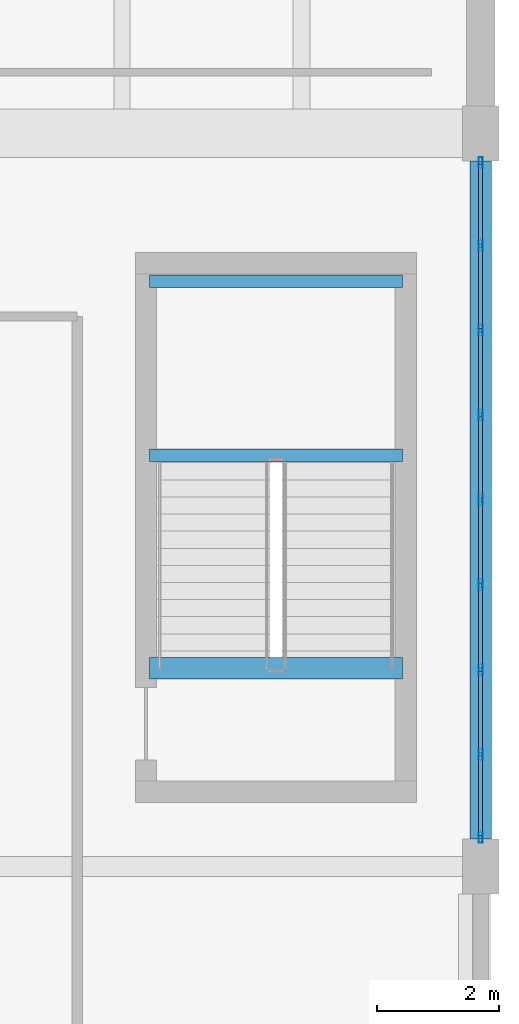
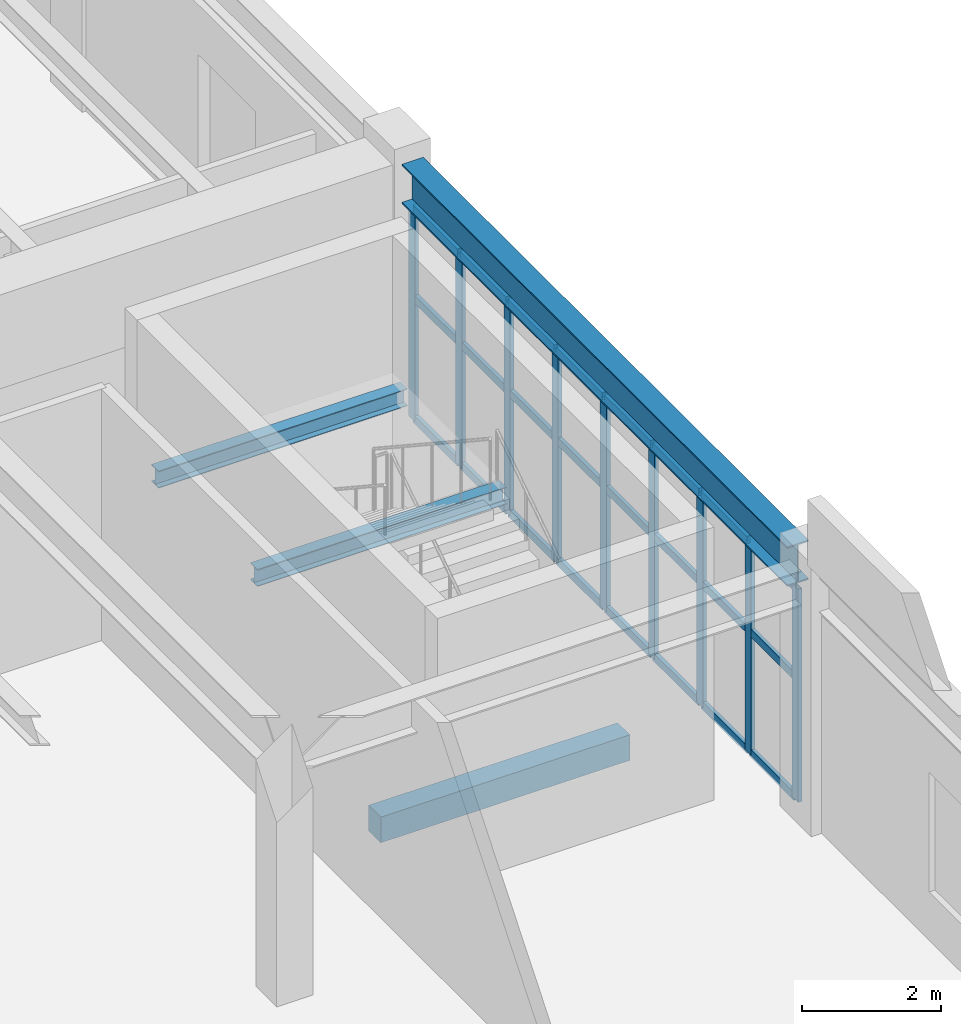
# One storey, part 50 of 85: 33 members, 4 beams, 1 element without a shape of its own.
"""IFC4 building model written with IfcOpenShell, lengths in metres."""

from ifc_helpers import new_model, si_unit, direction, frame, origin, origin_2d, place, context, subcontext, project, spatial, rectangle, hollow_rectangle, i_section, extrude, material, layer, layer_set, material_profile, profile_set, type_object, element, aggregate, save


model = new_model("IFC4")

# Units and contexts
model_context = context("Model", 3, precision=1e-05, world=origin(), true_north=direction((0.0, 1.0)))
body_context = subcontext(model_context, "Body", "Model", "MODEL_VIEW")
ifc_project = project(units=[si_unit("LENGTHUNIT", "METRE"), si_unit("AREAUNIT", "SQUARE_METRE"), si_unit("VOLUMEUNIT", "CUBIC_METRE"), si_unit("PLANEANGLEUNIT", "RADIAN"), si_unit("MASSUNIT", "GRAM", prefix="KILO")], contexts=[model_context])

# Site, building, storey
site_placement = place(None, origin())
site = spatial("IfcSite", under=ifc_project, at=site_placement, CompositionType="ELEMENT")
building_placement = place(site_placement, origin())
building = spatial("IfcBuilding", under=site, at=building_placement, Name="Vaelkrest Opera House", CompositionType="ELEMENT")
storey_placement = place(building_placement, frame((0.0, 0.0, 10.199951171875)))
storey = spatial("IfcBuildingStorey", under=building, at=storey_placement, Name="L02", CompositionType="ELEMENT", Elevation=10.199951171875)

# Curtain wall, members
ifc_material_1 = material(Name="Dark bronze anodized aluminium", Category="aluminium")
ifc_layer = layer(ifc_material_1, 0.179931640625)
ifc_layer_set = layer_set([ifc_layer], Name="Dark bronze anodized aluminium")
curtain_wall_type = type_object("IfcCurtainWallType", Name="CW01", PredefinedType="NOTDEFINED", material=ifc_layer_set)
curtain_wall_placement = place(storey_placement, origin())
curtain_wall = element("IfcCurtainWall", 1, at=curtain_wall_placement, inside=storey, type_object=curtain_wall_type, Name="Curtain wall CW-L02-166", PredefinedType="NOTDEFINED")
ifc_material_profile_1 = material_profile(ifc_material_1, hollow_rectangle(XDim=0.06494140625, YDim=0.179931640625, WallThickness=0.00390625, at=origin_2d()), Name="CWM65X180")
ifc_profile_set_1 = profile_set([ifc_material_profile_1], Name="Dark bronze anodized aluminium")
member_type_1 = type_object("IfcMemberType", Name="CWM01", PredefinedType="MULLION", material=ifc_profile_set_1)
member_1_placement = place(storey_placement, frame((77.60009765625, -8.280517578125, 0.0), z_axis=(0.0, 0.0, 1.0), x_axis=(1.0, 0.0, 0.0)))
member_1 = element("IfcMember", 2, at=member_1_placement, type_object=member_type_1, Name="CW01 mullion 1", PredefinedType="MULLION", context=body_context, shape_type="SweptSolid", body=[
    extrude(hollow_rectangle(XDim=0.06494140625, YDim=0.179931640625, WallThickness=0.00390625, at=origin_2d()), origin(), (0.0, 0.0, 1.0), 3.7451171875),
])
member_2_placement = place(storey_placement, frame((77.60009765625, -9.635986328125, 0.0), z_axis=(0.0, 0.0, 1.0), x_axis=(1.0, 0.0, 0.0)))
member_2 = element("IfcMember", 3, at=member_2_placement, type_object=member_type_1, Name="CW01 mullion 2", PredefinedType="MULLION", context=body_context, shape_type="SweptSolid", body=[
    extrude(hollow_rectangle(XDim=0.06494140625, YDim=0.179931640625, WallThickness=0.00390625, at=origin_2d()), origin(), (0.0, 0.0, 1.0), 3.7451171875),
])
member_3_placement = place(storey_placement, frame((77.60009765625, -11.02392578125, 0.0), z_axis=(0.0, 0.0, 1.0), x_axis=(1.0, 0.0, 0.0)))
member_3 = element("IfcMember", 4, at=member_3_placement, type_object=member_type_1, Name="CW01 mullion 3", PredefinedType="MULLION", context=body_context, shape_type="SweptSolid", body=[
    extrude(hollow_rectangle(XDim=0.06494140625, YDim=0.179931640625, WallThickness=0.00390625, at=origin_2d()), origin(), (0.0, 0.0, 1.0), 3.7451171875),
])
member_4_placement = place(storey_placement, frame((77.60009765625, -12.412109375, 0.0), z_axis=(0.0, 0.0, 1.0), x_axis=(1.0, 0.0, 0.0)))
member_4 = element("IfcMember", 5, at=member_4_placement, type_object=member_type_1, Name="CW01 mullion 4", PredefinedType="MULLION", context=body_context, shape_type="SweptSolid", body=[
    extrude(hollow_rectangle(XDim=0.06494140625, YDim=0.179931640625, WallThickness=0.00390625, at=origin_2d()), origin(), (0.0, 0.0, 1.0), 3.7451171875),
])
member_5_placement = place(storey_placement, frame((77.60009765625, -13.800048828125, 0.0), z_axis=(0.0, 0.0, 1.0), x_axis=(1.0, 0.0, 0.0)))
member_5 = element("IfcMember", 6, at=member_5_placement, type_object=member_type_1, Name="CW01 mullion 5", PredefinedType="MULLION", context=body_context, shape_type="SweptSolid", body=[
    extrude(hollow_rectangle(XDim=0.06494140625, YDim=0.179931640625, WallThickness=0.00390625, at=origin_2d()), origin(), (0.0, 0.0, 1.0), 3.7451171875),
])
member_6_placement = place(storey_placement, frame((77.60009765625, -15.18798828125, 0.0), z_axis=(0.0, 0.0, 1.0), x_axis=(1.0, 0.0, 0.0)))
member_6 = element("IfcMember", 7, at=member_6_placement, type_object=member_type_1, Name="CW01 mullion 6", PredefinedType="MULLION", context=body_context, shape_type="SweptSolid", body=[
    extrude(hollow_rectangle(XDim=0.06494140625, YDim=0.179931640625, WallThickness=0.00390625, at=origin_2d()), origin(), (0.0, 0.0, 1.0), 3.7451171875),
])
member_7_placement = place(storey_placement, frame((77.60009765625, -16.575927734375, 0.0), z_axis=(0.0, 0.0, 1.0), x_axis=(1.0, 0.0, 0.0)))
member_7 = element("IfcMember", 8, at=member_7_placement, type_object=member_type_1, Name="CW01 mullion 7", PredefinedType="MULLION", context=body_context, shape_type="SweptSolid", body=[
    extrude(hollow_rectangle(XDim=0.06494140625, YDim=0.179931640625, WallThickness=0.00390625, at=origin_2d()), origin(), (0.0, 0.0, 1.0), 3.7451171875),
])
member_8_placement = place(storey_placement, frame((77.60009765625, -17.964111328125, 0.0), z_axis=(0.0, 0.0, 1.0), x_axis=(1.0, 0.0, 0.0)))
member_8 = element("IfcMember", 9, at=member_8_placement, type_object=member_type_1, Name="CW01 mullion 8", PredefinedType="MULLION", context=body_context, shape_type="SweptSolid", body=[
    extrude(hollow_rectangle(XDim=0.06494140625, YDim=0.179931640625, WallThickness=0.00390625, at=origin_2d()), origin(), (0.0, 0.0, 1.0), 3.7451171875),
])
member_9_placement = place(storey_placement, frame((77.60009765625, -19.319580078125, 0.0), z_axis=(0.0, 0.0, 1.0), x_axis=(1.0, 0.0, 0.0)))
member_9 = element("IfcMember", 10, at=member_9_placement, type_object=member_type_1, Name="CW01 mullion 9", PredefinedType="MULLION", context=body_context, shape_type="SweptSolid", body=[
    extrude(hollow_rectangle(XDim=0.06494140625, YDim=0.179931640625, WallThickness=0.00390625, at=origin_2d()), origin(), (0.0, 0.0, 1.0), 3.7451171875),
])
ifc_material_profile_2 = material_profile(ifc_material_1, hollow_rectangle(XDim=0.06494140625, YDim=0.139892578125, WallThickness=0.00390625, at=origin_2d()), Name="CWT65X140")
ifc_profile_set_2 = profile_set([ifc_material_profile_2], Name="Dark bronze anodized aluminium")
member_type_2 = type_object("IfcMemberType", Name="CWT01", PredefinedType="USERDEFINED", material=ifc_profile_set_2)
member_10_placement = place(storey_placement, frame((77.60009765625, -8.31298828125, 0.032470703125), z_axis=(0.0, -1.0, 0.0), x_axis=(1.0, 0.0, 0.0)))
member_10 = element("IfcMember", 11, at=member_10_placement, type_object=member_type_2, Name="CW01 transom 1.1", ObjectType="TRANSOM", PredefinedType="USERDEFINED", context=body_context, shape_type="SweptSolid", body=[
    extrude(hollow_rectangle(XDim=0.06494140625, YDim=0.139892578125, WallThickness=0.00390625, at=origin_2d()), origin(), (0.0, 0.0, 1.0), 1.29052734375),
])
member_11_placement = place(storey_placement, frame((77.60009765625, -8.31298828125, 2.150146484375), z_axis=(0.0, -1.0, 0.0), x_axis=(1.0, 0.0, 0.0)))
member_11 = element("IfcMember", 12, at=member_11_placement, type_object=member_type_2, Name="CW01 transom 1.2", ObjectType="TRANSOM", PredefinedType="USERDEFINED", context=body_context, shape_type="SweptSolid", body=[
    extrude(hollow_rectangle(XDim=0.06494140625, YDim=0.139892578125, WallThickness=0.00390625, at=origin_2d()), origin(), (0.0, 0.0, 1.0), 1.29052734375),
])
member_12_placement = place(storey_placement, frame((77.60009765625, -8.31298828125, 3.712646484375), z_axis=(0.0, -1.0, 0.0), x_axis=(1.0, 0.0, 0.0)))
member_12 = element("IfcMember", 13, at=member_12_placement, type_object=member_type_2, Name="CW01 transom 1.3", ObjectType="TRANSOM", PredefinedType="USERDEFINED", context=body_context, shape_type="SweptSolid", body=[
    extrude(hollow_rectangle(XDim=0.06494140625, YDim=0.139892578125, WallThickness=0.00390625, at=origin_2d()), origin(), (0.0, 0.0, 1.0), 1.29052734375),
])
member_13_placement = place(storey_placement, frame((77.60009765625, -9.66845703125, 0.032470703125), z_axis=(0.0, -1.0, 0.0), x_axis=(1.0, 0.0, 0.0)))
member_13 = element("IfcMember", 14, at=member_13_placement, type_object=member_type_2, Name="CW01 transom 2.1", ObjectType="TRANSOM", PredefinedType="USERDEFINED", context=body_context, shape_type="SweptSolid", body=[
    extrude(hollow_rectangle(XDim=0.06494140625, YDim=0.139892578125, WallThickness=0.00390625, at=origin_2d()), origin(), (0.0, 0.0, 1.0), 1.322998046875),
])
member_14_placement = place(storey_placement, frame((77.60009765625, -9.66845703125, 2.150146484375), z_axis=(0.0, -1.0, 0.0), x_axis=(1.0, 0.0, 0.0)))
member_14 = element("IfcMember", 15, at=member_14_placement, type_object=member_type_2, Name="CW01 transom 2.2", ObjectType="TRANSOM", PredefinedType="USERDEFINED", context=body_context, shape_type="SweptSolid", body=[
    extrude(hollow_rectangle(XDim=0.06494140625, YDim=0.139892578125, WallThickness=0.00390625, at=origin_2d()), origin(), (0.0, 0.0, 1.0), 1.322998046875),
])
member_15_placement = place(storey_placement, frame((77.60009765625, -9.66845703125, 3.712646484375), z_axis=(0.0, -1.0, 0.0), x_axis=(1.0, 0.0, 0.0)))
member_15 = element("IfcMember", 16, at=member_15_placement, type_object=member_type_2, Name="CW01 transom 2.3", ObjectType="TRANSOM", PredefinedType="USERDEFINED", context=body_context, shape_type="SweptSolid", body=[
    extrude(hollow_rectangle(XDim=0.06494140625, YDim=0.139892578125, WallThickness=0.00390625, at=origin_2d()), origin(), (0.0, 0.0, 1.0), 1.322998046875),
])
member_16_placement = place(storey_placement, frame((77.60009765625, -11.056396484375, 0.032470703125), z_axis=(0.0, -1.0, 0.0), x_axis=(1.0, 0.0, 0.0)))
member_16 = element("IfcMember", 17, at=member_16_placement, type_object=member_type_2, Name="CW01 transom 3.1", ObjectType="TRANSOM", PredefinedType="USERDEFINED", context=body_context, shape_type="SweptSolid", body=[
    extrude(hollow_rectangle(XDim=0.06494140625, YDim=0.139892578125, WallThickness=0.00390625, at=origin_2d()), origin(), (0.0, 0.0, 1.0), 1.322998046875),
])
member_17_placement = place(storey_placement, frame((77.60009765625, -11.056396484375, 2.150146484375), z_axis=(0.0, -1.0, 0.0), x_axis=(1.0, 0.0, 0.0)))
member_17 = element("IfcMember", 18, at=member_17_placement, type_object=member_type_2, Name="CW01 transom 3.2", ObjectType="TRANSOM", PredefinedType="USERDEFINED", context=body_context, shape_type="SweptSolid", body=[
    extrude(hollow_rectangle(XDim=0.06494140625, YDim=0.139892578125, WallThickness=0.00390625, at=origin_2d()), origin(), (0.0, 0.0, 1.0), 1.322998046875),
])
member_18_placement = place(storey_placement, frame((77.60009765625, -11.056396484375, 3.712646484375), z_axis=(0.0, -1.0, 0.0), x_axis=(1.0, 0.0, 0.0)))
member_18 = element("IfcMember", 19, at=member_18_placement, type_object=member_type_2, Name="CW01 transom 3.3", ObjectType="TRANSOM", PredefinedType="USERDEFINED", context=body_context, shape_type="SweptSolid", body=[
    extrude(hollow_rectangle(XDim=0.06494140625, YDim=0.139892578125, WallThickness=0.00390625, at=origin_2d()), origin(), (0.0, 0.0, 1.0), 1.322998046875),
])
member_19_placement = place(storey_placement, frame((77.60009765625, -12.444580078125, 0.032470703125), z_axis=(0.0, -1.0, 0.0), x_axis=(1.0, 0.0, 0.0)))
member_19 = element("IfcMember", 20, at=member_19_placement, type_object=member_type_2, Name="CW01 transom 4.1", ObjectType="TRANSOM", PredefinedType="USERDEFINED", context=body_context, shape_type="SweptSolid", body=[
    extrude(hollow_rectangle(XDim=0.06494140625, YDim=0.139892578125, WallThickness=0.00390625, at=origin_2d()), origin(), (0.0, 0.0, 1.0), 1.322998046875),
])
member_20_placement = place(storey_placement, frame((77.60009765625, -12.444580078125, 2.150146484375), z_axis=(0.0, -1.0, 0.0), x_axis=(1.0, 0.0, 0.0)))
member_20 = element("IfcMember", 21, at=member_20_placement, type_object=member_type_2, Name="CW01 transom 4.2", ObjectType="TRANSOM", PredefinedType="USERDEFINED", context=body_context, shape_type="SweptSolid", body=[
    extrude(hollow_rectangle(XDim=0.06494140625, YDim=0.139892578125, WallThickness=0.00390625, at=origin_2d()), origin(), (0.0, 0.0, 1.0), 1.322998046875),
])
member_21_placement = place(storey_placement, frame((77.60009765625, -12.444580078125, 3.712646484375), z_axis=(0.0, -1.0, 0.0), x_axis=(1.0, 0.0, 0.0)))
member_21 = element("IfcMember", 22, at=member_21_placement, type_object=member_type_2, Name="CW01 transom 4.3", ObjectType="TRANSOM", PredefinedType="USERDEFINED", context=body_context, shape_type="SweptSolid", body=[
    extrude(hollow_rectangle(XDim=0.06494140625, YDim=0.139892578125, WallThickness=0.00390625, at=origin_2d()), origin(), (0.0, 0.0, 1.0), 1.322998046875),
])
member_22_placement = place(storey_placement, frame((77.60009765625, -13.83251953125, 0.032470703125), z_axis=(0.0, -1.0, 0.0), x_axis=(1.0, 0.0, 0.0)))
member_22 = element("IfcMember", 23, at=member_22_placement, type_object=member_type_2, Name="CW01 transom 5.1", ObjectType="TRANSOM", PredefinedType="USERDEFINED", context=body_context, shape_type="SweptSolid", body=[
    extrude(hollow_rectangle(XDim=0.06494140625, YDim=0.139892578125, WallThickness=0.00390625, at=origin_2d()), origin(), (0.0, 0.0, 1.0), 1.322998046875),
])
member_23_placement = place(storey_placement, frame((77.60009765625, -13.83251953125, 2.150146484375), z_axis=(0.0, -1.0, 0.0), x_axis=(1.0, 0.0, 0.0)))
member_23 = element("IfcMember", 24, at=member_23_placement, type_object=member_type_2, Name="CW01 transom 5.2", ObjectType="TRANSOM", PredefinedType="USERDEFINED", context=body_context, shape_type="SweptSolid", body=[
    extrude(hollow_rectangle(XDim=0.06494140625, YDim=0.139892578125, WallThickness=0.00390625, at=origin_2d()), origin(), (0.0, 0.0, 1.0), 1.322998046875),
])
member_24_placement = place(storey_placement, frame((77.60009765625, -13.83251953125, 3.712646484375), z_axis=(0.0, -1.0, 0.0), x_axis=(1.0, 0.0, 0.0)))
member_24 = element("IfcMember", 25, at=member_24_placement, type_object=member_type_2, Name="CW01 transom 5.3", ObjectType="TRANSOM", PredefinedType="USERDEFINED", context=body_context, shape_type="SweptSolid", body=[
    extrude(hollow_rectangle(XDim=0.06494140625, YDim=0.139892578125, WallThickness=0.00390625, at=origin_2d()), origin(), (0.0, 0.0, 1.0), 1.322998046875),
])
member_25_placement = place(storey_placement, frame((77.60009765625, -15.220458984375, 0.032470703125), z_axis=(0.0, -1.0, 0.0), x_axis=(1.0, 0.0, 0.0)))
member_25 = element("IfcMember", 26, at=member_25_placement, type_object=member_type_2, Name="CW01 transom 6.1", ObjectType="TRANSOM", PredefinedType="USERDEFINED", context=body_context, shape_type="SweptSolid", body=[
    extrude(hollow_rectangle(XDim=0.06494140625, YDim=0.139892578125, WallThickness=0.00390625, at=origin_2d()), origin(), (0.0, 0.0, 1.0), 1.322998046875),
])
member_26_placement = place(storey_placement, frame((77.60009765625, -15.220458984375, 2.150146484375), z_axis=(0.0, -1.0, 0.0), x_axis=(1.0, 0.0, 0.0)))
member_26 = element("IfcMember", 27, at=member_26_placement, type_object=member_type_2, Name="CW01 transom 6.2", ObjectType="TRANSOM", PredefinedType="USERDEFINED", context=body_context, shape_type="SweptSolid", body=[
    extrude(hollow_rectangle(XDim=0.06494140625, YDim=0.139892578125, WallThickness=0.00390625, at=origin_2d()), origin(), (0.0, 0.0, 1.0), 1.322998046875),
])
member_27_placement = place(storey_placement, frame((77.60009765625, -15.220458984375, 3.712646484375), z_axis=(0.0, -1.0, 0.0), x_axis=(1.0, 0.0, 0.0)))
member_27 = element("IfcMember", 28, at=member_27_placement, type_object=member_type_2, Name="CW01 transom 6.3", ObjectType="TRANSOM", PredefinedType="USERDEFINED", context=body_context, shape_type="SweptSolid", body=[
    extrude(hollow_rectangle(XDim=0.06494140625, YDim=0.139892578125, WallThickness=0.00390625, at=origin_2d()), origin(), (0.0, 0.0, 1.0), 1.322998046875),
])
member_28_placement = place(storey_placement, frame((77.60009765625, -16.6083984375, 0.032470703125), z_axis=(0.0, -1.0, 0.0), x_axis=(1.0, 0.0, 0.0)))
member_28 = element("IfcMember", 29, at=member_28_placement, type_object=member_type_2, Name="CW01 transom 7.1", ObjectType="TRANSOM", PredefinedType="USERDEFINED", context=body_context, shape_type="SweptSolid", body=[
    extrude(hollow_rectangle(XDim=0.06494140625, YDim=0.139892578125, WallThickness=0.00390625, at=origin_2d()), origin(), (0.0, 0.0, 1.0), 1.322998046875),
])
member_29_placement = place(storey_placement, frame((77.60009765625, -16.6083984375, 2.150146484375), z_axis=(0.0, -1.0, 0.0), x_axis=(1.0, 0.0, 0.0)))
member_29 = element("IfcMember", 30, at=member_29_placement, type_object=member_type_2, Name="CW01 transom 7.2", ObjectType="TRANSOM", PredefinedType="USERDEFINED", context=body_context, shape_type="SweptSolid", body=[
    extrude(hollow_rectangle(XDim=0.06494140625, YDim=0.139892578125, WallThickness=0.00390625, at=origin_2d()), origin(), (0.0, 0.0, 1.0), 1.322998046875),
])
member_30_placement = place(storey_placement, frame((77.60009765625, -16.6083984375, 3.712646484375), z_axis=(0.0, -1.0, 0.0), x_axis=(1.0, 0.0, 0.0)))
member_30 = element("IfcMember", 31, at=member_30_placement, type_object=member_type_2, Name="CW01 transom 7.3", ObjectType="TRANSOM", PredefinedType="USERDEFINED", context=body_context, shape_type="SweptSolid", body=[
    extrude(hollow_rectangle(XDim=0.06494140625, YDim=0.139892578125, WallThickness=0.00390625, at=origin_2d()), origin(), (0.0, 0.0, 1.0), 1.322998046875),
])
member_31_placement = place(storey_placement, frame((77.60009765625, -17.99658203125, 0.032470703125), z_axis=(0.0, -1.0, 0.0), x_axis=(1.0, 0.0, 0.0)))
member_31 = element("IfcMember", 32, at=member_31_placement, type_object=member_type_2, Name="CW01 transom 8.1", ObjectType="TRANSOM", PredefinedType="USERDEFINED", context=body_context, shape_type="SweptSolid", body=[
    extrude(hollow_rectangle(XDim=0.06494140625, YDim=0.139892578125, WallThickness=0.00390625, at=origin_2d()), origin(), (0.0, 0.0, 1.0), 1.29052734375),
])
member_32_placement = place(storey_placement, frame((77.60009765625, -17.99658203125, 2.150146484375), z_axis=(0.0, -1.0, 0.0), x_axis=(1.0, 0.0, 0.0)))
member_32 = element("IfcMember", 33, at=member_32_placement, type_object=member_type_2, Name="CW01 transom 8.2", ObjectType="TRANSOM", PredefinedType="USERDEFINED", context=body_context, shape_type="SweptSolid", body=[
    extrude(hollow_rectangle(XDim=0.06494140625, YDim=0.139892578125, WallThickness=0.00390625, at=origin_2d()), origin(), (0.0, 0.0, 1.0), 1.29052734375),
])
member_33_placement = place(storey_placement, frame((77.60009765625, -17.99658203125, 3.712646484375), z_axis=(0.0, -1.0, 0.0), x_axis=(1.0, 0.0, 0.0)))
member_33 = element("IfcMember", 34, at=member_33_placement, type_object=member_type_2, Name="CW01 transom 8.3", ObjectType="TRANSOM", PredefinedType="USERDEFINED", context=body_context, shape_type="SweptSolid", body=[
    extrude(hollow_rectangle(XDim=0.06494140625, YDim=0.139892578125, WallThickness=0.00390625, at=origin_2d()), origin(), (0.0, 0.0, 1.0), 1.29052734375),
])
aggregate(curtain_wall, [member_1, member_2, member_3, member_4, member_5, member_6, member_7, member_8, member_9, member_10, member_11, member_12, member_13, member_14, member_15, member_16, member_17, member_18, member_19, member_20, member_21, member_22, member_23, member_24, member_25, member_26, member_27, member_28, member_29, member_30, member_31, member_32, member_33])

# Beams
ifc_material_2 = material(Name="Steel A992 Gr50", Category="steel")
ifc_material_profile_3 = material_profile(ifc_material_2, i_section(OverallWidth=0.202880859375, OverallDepth=0.302978515625, WebThickness=0.007568359375, FlangeThickness=0.01318359375, at=origin_2d()), Name="W12X40")
ifc_profile_set_3 = profile_set([ifc_material_profile_3], Name="Steel A992 Gr50")
beam_type_1 = type_object("IfcBeamType", Name="J02", PredefinedType="JOIST", material=ifc_profile_set_3)
for number, where, z_axis, x_axis, name in (
    (35, (72.179931640625, -13.070068359375, 2.048583984375), (1.0, 0.0, 0.0), (0.0, 1.0, 0.0), "Stair landing bearer beam ST10 L02-1N"),
    (36, (72.179931640625, -10.219970703125, 2.048583984375), (1.0, 0.0, 0.0), (0.0, 1.0, 0.0), "Stair landing bearer beam ST10 L02-1F"),
):
    element("IfcBeam", number, at=place(storey_placement, frame(where, z_axis=z_axis, x_axis=x_axis)), inside=storey, type_object=beam_type_1, Name=name, PredefinedType="JOIST", context=body_context, shape_type="SweptSolid", body=[
        extrude(i_section(OverallWidth=0.202880859375, OverallDepth=0.302978515625, WebThickness=0.007568359375, FlangeThickness=0.01318359375, at=origin_2d()), origin(), (0.0, 0.0, 1.0), 4.14013671875),
    ])
ifc_material_3 = material(Name="Concrete C50/60", Category="concrete")
ifc_material_profile_4 = material_profile(ifc_material_3, rectangle(XDim=0.35009765625, YDim=0.449951171875, at=origin_2d()), Name="RCB350X450")
ifc_profile_set_4 = profile_set([ifc_material_profile_4], Name="Concrete C50/60")
beam_type_2 = type_object("IfcBeamType", Name="LN01", PredefinedType="LINTEL", material=ifc_profile_set_4)
beam_1_placement = place(storey_placement, frame((72.179931640625, -16.550048828125, -0.224853515625), z_axis=(1.0, 0.0, 0.0), x_axis=(0.0, 1.0, 0.0)))
element("IfcBeam", 37, at=beam_1_placement, inside=storey, type_object=beam_type_2, Name="Stairwell trimmer beam ST10 L02", PredefinedType="LINTEL", context=body_context, shape_type="SweptSolid", body=[
    extrude(rectangle(XDim=0.35009765625, YDim=0.449951171875, at=origin_2d()), origin(), (0.0, 0.0, 1.0), 4.14013671875),
])
ifc_material_profile_5 = material_profile(ifc_material_2, i_section(OverallWidth=0.35498046875, OverallDepth=0.695068359375, WebThickness=0.015380859375, FlangeThickness=0.02490234375, at=origin_2d()), Name="W27X146")
ifc_profile_set_5 = profile_set([ifc_material_profile_5], Name="Steel A992 Gr50")
beam_type_3 = type_object("IfcBeamType", Name="SP02", PredefinedType="SPANDREL", material=ifc_profile_set_5)
beam_2_placement = place(storey_placement, frame((77.60009765625, -19.35009765625, 4.157470703125), z_axis=(0.0, 1.0, 0.0), x_axis=(-1.0, 0.0, 0.0)))
element("IfcBeam", 38, at=beam_2_placement, inside=storey, type_object=beam_type_3, Name="Beam BM-V4-L02-2307", PredefinedType="SPANDREL", context=body_context, shape_type="SweptSolid", body=[
    extrude(i_section(OverallWidth=0.35498046875, OverallDepth=0.695068359375, WebThickness=0.015380859375, FlangeThickness=0.02490234375, at=origin_2d()), origin(), (0.0, 0.0, 1.0), 11.10009765625),
])

save(model, "model.ifc")
